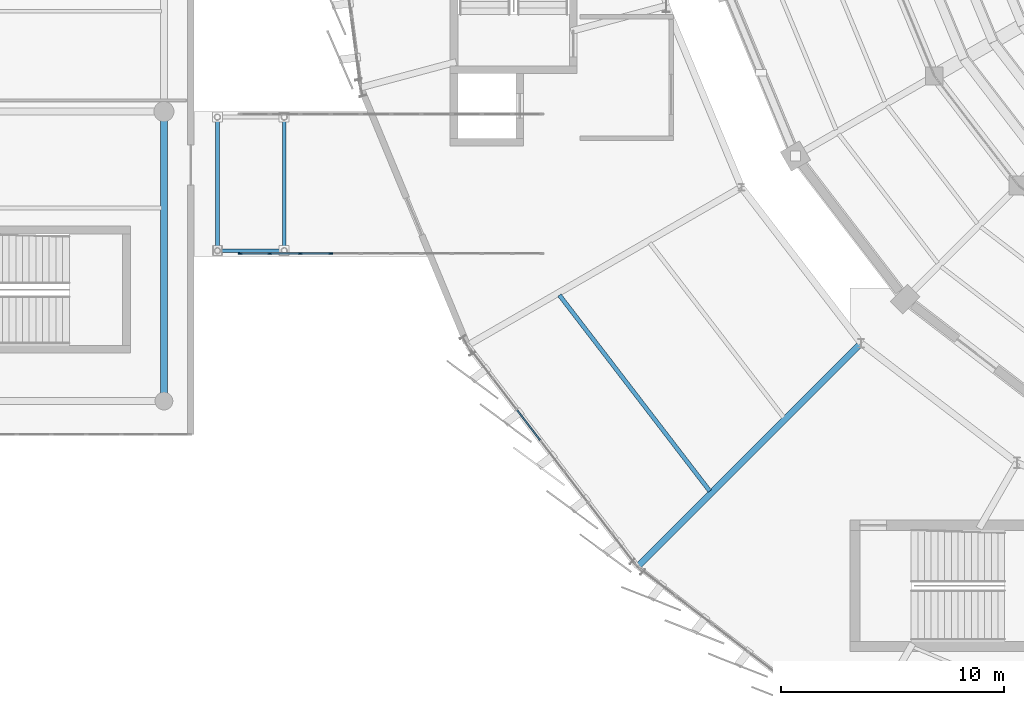
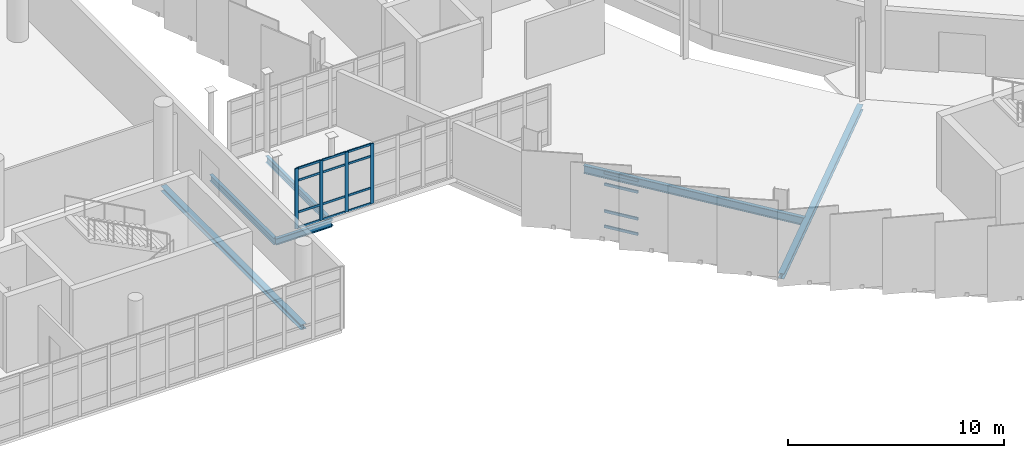
# One storey, part 29 of 134: 20 members, 6 beams, 2 elements without a shape of their own.
"""IFC4 building model written with IfcOpenShell, lengths in metres."""

from ifc_helpers import new_model, si_unit, direction, frame, origin, origin_2d, place, context, subcontext, project, spatial, rectangle, i_section, extrude, material, layer, layer_set, material_profile, profile_set, type_object, element, aggregate, save


model = new_model("IFC4")

# Units and contexts
model_context = context("Model", 3, precision=1e-05, world=origin(), true_north=direction((0.0, 1.0)))
body_context = subcontext(model_context, "Body", "Model", "MODEL_VIEW")
ifc_project = project(units=[si_unit("LENGTHUNIT", "METRE"), si_unit("AREAUNIT", "SQUARE_METRE"), si_unit("VOLUMEUNIT", "CUBIC_METRE"), si_unit("PLANEANGLEUNIT", "RADIAN"), si_unit("MASSUNIT", "GRAM", prefix="KILO")], contexts=[model_context])

# Site, building, storey
site_placement = place(None, origin())
site = spatial("IfcSite", under=ifc_project, at=site_placement, CompositionType="ELEMENT")
building_placement = place(site_placement, origin())
building = spatial("IfcBuilding", under=site, at=building_placement, Name="Sohan Crest Arena", CompositionType="ELEMENT")
storey_placement = place(building_placement, frame((0.0, 0.0, 4.5)))
storey = spatial("IfcBuildingStorey", under=building, at=storey_placement, Name="L01", CompositionType="ELEMENT", Elevation=4.5)

# Curtain wall, members
ifc_material_1 = material(Name="Thermally broken anodised aluminium", Category="aluminium")
ifc_layer_1 = layer(ifc_material_1, 0.18994140625, Name="Thermally broken anodised aluminium")
ifc_layer_set_1 = layer_set([ifc_layer_1], Name="Thermally broken anodised aluminium")
curtain_wall_type_1 = type_object("IfcCurtainWallType", Name="ARC-CW05", PredefinedType="NOTDEFINED", material=ifc_layer_set_1)
curtain_wall_1_placement = place(storey_placement, origin())
curtain_wall_1 = element("IfcCurtainWall", 1, at=curtain_wall_1_placement, inside=storey, type_object=curtain_wall_type_1, Name="Unitised curtain wall CW-225", PredefinedType="NOTDEFINED")
ifc_material_profile_1 = material_profile(ifc_material_1, rectangle(XDim=0.06494140625, YDim=0.179931640625, at=origin_2d()), Name="ALU-MULL 65x180")
ifc_profile_set_1 = profile_set([ifc_material_profile_1], Name="Thermally broken anodised aluminium")
member_type_1 = type_object("IfcMemberType", Name="ARC-CW-ML02", PredefinedType="MULLION", material=ifc_profile_set_1)
member_1_placement = place(storey_placement, frame((46.232421875, 58.1201171875, 0.0), z_axis=(0.0, 0.0, 1.0), x_axis=(0.0, 1.0, 0.0)))
member_1 = element("IfcMember", 2, at=member_1_placement, type_object=member_type_1, Name="CW-225 mullion 1", PredefinedType="MULLION", context=body_context, shape_type="SweptSolid", body=[
    extrude(rectangle(XDim=0.06494140625, YDim=0.179931640625, at=origin_2d()), origin(), (0.0, 0.0, 1.0), 3.39990234375),
])
member_2_placement = place(storey_placement, frame((47.56005859375, 58.1201171875, 0.0), z_axis=(0.0, 0.0, 1.0), x_axis=(0.0, 1.0, 0.0)))
member_2 = element("IfcMember", 3, at=member_2_placement, type_object=member_type_1, Name="CW-225 mullion 2", PredefinedType="MULLION", context=body_context, shape_type="SweptSolid", body=[
    extrude(rectangle(XDim=0.06494140625, YDim=0.179931640625, at=origin_2d()), origin(), (0.0, 0.0, 1.0), 3.39990234375),
])
member_3_placement = place(storey_placement, frame((48.919921875, 58.1201171875, 0.0), z_axis=(0.0, 0.0, 1.0), x_axis=(0.0, 1.0, 0.0)))
member_3 = element("IfcMember", 4, at=member_3_placement, type_object=member_type_1, Name="CW-225 mullion 3", PredefinedType="MULLION", context=body_context, shape_type="SweptSolid", body=[
    extrude(rectangle(XDim=0.06494140625, YDim=0.179931640625, at=origin_2d()), origin(), (0.0, 0.0, 1.0), 3.39990234375),
])
member_4_placement = place(storey_placement, frame((50.280029296875, 58.1201171875, 0.0), z_axis=(0.0, 0.0, 1.0), x_axis=(0.0, 1.0, 0.0)))
member_4 = element("IfcMember", 5, at=member_4_placement, type_object=member_type_1, Name="CW-225 mullion 4", PredefinedType="MULLION", context=body_context, shape_type="SweptSolid", body=[
    extrude(rectangle(XDim=0.06494140625, YDim=0.179931640625, at=origin_2d()), origin(), (0.0, 0.0, 1.0), 3.39990234375),
])
ifc_material_profile_2 = material_profile(ifc_material_1, rectangle(XDim=0.06005859375, YDim=0.1201171875, at=origin_2d()), Name="ALU-TRAN 60x120")
ifc_profile_set_2 = profile_set([ifc_material_profile_2], Name="Thermally broken anodised aluminium")
member_type_2 = type_object("IfcMemberType", Name="ARC-CW-TR01", PredefinedType="USERDEFINED", material=ifc_profile_set_2)
member_5_placement = place(storey_placement, frame((46.264892578125, 58.1201171875, 0.030029296875), z_axis=(1.0, 0.0, 0.0), x_axis=(0.0, 1.0, 0.0)))
member_5 = element("IfcMember", 6, at=member_5_placement, type_object=member_type_2, Name="CW-225 transom 1.1", ObjectType="TRANSOM", PredefinedType="USERDEFINED", context=body_context, shape_type="SweptSolid", body=[
    extrude(rectangle(XDim=0.06005859375, YDim=0.1201171875, at=origin_2d()), origin(), (0.0, 0.0, 1.0), 1.2626953125),
])
member_6_placement = place(storey_placement, frame((46.264892578125, 58.1201171875, 0.89990234375), z_axis=(1.0, 0.0, 0.0), x_axis=(0.0, 1.0, 0.0)))
member_6 = element("IfcMember", 7, at=member_6_placement, type_object=member_type_2, Name="CW-225 transom 1.2", ObjectType="TRANSOM", PredefinedType="USERDEFINED", context=body_context, shape_type="SweptSolid", body=[
    extrude(rectangle(XDim=0.06005859375, YDim=0.1201171875, at=origin_2d()), origin(), (0.0, 0.0, 1.0), 1.2626953125),
])
member_7_placement = place(storey_placement, frame((46.264892578125, 58.1201171875, 2.699951171875), z_axis=(1.0, 0.0, 0.0), x_axis=(0.0, 1.0, 0.0)))
member_7 = element("IfcMember", 8, at=member_7_placement, type_object=member_type_2, Name="CW-225 transom 1.3", ObjectType="TRANSOM", PredefinedType="USERDEFINED", context=body_context, shape_type="SweptSolid", body=[
    extrude(rectangle(XDim=0.06005859375, YDim=0.1201171875, at=origin_2d()), origin(), (0.0, 0.0, 1.0), 1.2626953125),
])
member_8_placement = place(storey_placement, frame((46.264892578125, 58.1201171875, 3.3701171875), z_axis=(1.0, 0.0, 0.0), x_axis=(0.0, 1.0, 0.0)))
member_8 = element("IfcMember", 9, at=member_8_placement, type_object=member_type_2, Name="CW-225 transom 1.4", ObjectType="TRANSOM", PredefinedType="USERDEFINED", context=body_context, shape_type="SweptSolid", body=[
    extrude(rectangle(XDim=0.06005859375, YDim=0.1201171875, at=origin_2d()), origin(), (0.0, 0.0, 1.0), 1.2626953125),
])
member_9_placement = place(storey_placement, frame((47.592529296875, 58.1201171875, 0.030029296875), z_axis=(1.0, 0.0, 0.0), x_axis=(0.0, 1.0, 0.0)))
member_9 = element("IfcMember", 10, at=member_9_placement, type_object=member_type_2, Name="CW-225 transom 2.1", ObjectType="TRANSOM", PredefinedType="USERDEFINED", context=body_context, shape_type="SweptSolid", body=[
    extrude(rectangle(XDim=0.06005859375, YDim=0.1201171875, at=origin_2d()), origin(), (0.0, 0.0, 1.0), 1.294921875),
])
member_10_placement = place(storey_placement, frame((47.592529296875, 58.1201171875, 0.89990234375), z_axis=(1.0, 0.0, 0.0), x_axis=(0.0, 1.0, 0.0)))
member_10 = element("IfcMember", 11, at=member_10_placement, type_object=member_type_2, Name="CW-225 transom 2.2", ObjectType="TRANSOM", PredefinedType="USERDEFINED", context=body_context, shape_type="SweptSolid", body=[
    extrude(rectangle(XDim=0.06005859375, YDim=0.1201171875, at=origin_2d()), origin(), (0.0, 0.0, 1.0), 1.294921875),
])
member_11_placement = place(storey_placement, frame((47.592529296875, 58.1201171875, 2.699951171875), z_axis=(1.0, 0.0, 0.0), x_axis=(0.0, 1.0, 0.0)))
member_11 = element("IfcMember", 12, at=member_11_placement, type_object=member_type_2, Name="CW-225 transom 2.3", ObjectType="TRANSOM", PredefinedType="USERDEFINED", context=body_context, shape_type="SweptSolid", body=[
    extrude(rectangle(XDim=0.06005859375, YDim=0.1201171875, at=origin_2d()), origin(), (0.0, 0.0, 1.0), 1.294921875),
])
member_12_placement = place(storey_placement, frame((47.592529296875, 58.1201171875, 3.3701171875), z_axis=(1.0, 0.0, 0.0), x_axis=(0.0, 1.0, 0.0)))
member_12 = element("IfcMember", 13, at=member_12_placement, type_object=member_type_2, Name="CW-225 transom 2.4", ObjectType="TRANSOM", PredefinedType="USERDEFINED", context=body_context, shape_type="SweptSolid", body=[
    extrude(rectangle(XDim=0.06005859375, YDim=0.1201171875, at=origin_2d()), origin(), (0.0, 0.0, 1.0), 1.294921875),
])
member_13_placement = place(storey_placement, frame((48.952392578125, 58.1201171875, 0.030029296875), z_axis=(1.0, 0.0, 0.0), x_axis=(0.0, 1.0, 0.0)))
member_13 = element("IfcMember", 14, at=member_13_placement, type_object=member_type_2, Name="CW-225 transom 3.1", ObjectType="TRANSOM", PredefinedType="USERDEFINED", context=body_context, shape_type="SweptSolid", body=[
    extrude(rectangle(XDim=0.06005859375, YDim=0.1201171875, at=origin_2d()), origin(), (0.0, 0.0, 1.0), 1.295166015625),
])
member_14_placement = place(storey_placement, frame((48.952392578125, 58.1201171875, 0.89990234375), z_axis=(1.0, 0.0, 0.0), x_axis=(0.0, 1.0, 0.0)))
member_14 = element("IfcMember", 15, at=member_14_placement, type_object=member_type_2, Name="CW-225 transom 3.2", ObjectType="TRANSOM", PredefinedType="USERDEFINED", context=body_context, shape_type="SweptSolid", body=[
    extrude(rectangle(XDim=0.06005859375, YDim=0.1201171875, at=origin_2d()), origin(), (0.0, 0.0, 1.0), 1.295166015625),
])
member_15_placement = place(storey_placement, frame((48.952392578125, 58.1201171875, 2.699951171875), z_axis=(1.0, 0.0, 0.0), x_axis=(0.0, 1.0, 0.0)))
member_15 = element("IfcMember", 16, at=member_15_placement, type_object=member_type_2, Name="CW-225 transom 3.3", ObjectType="TRANSOM", PredefinedType="USERDEFINED", context=body_context, shape_type="SweptSolid", body=[
    extrude(rectangle(XDim=0.06005859375, YDim=0.1201171875, at=origin_2d()), origin(), (0.0, 0.0, 1.0), 1.295166015625),
])
member_16_placement = place(storey_placement, frame((48.952392578125, 58.1201171875, 3.3701171875), z_axis=(1.0, 0.0, 0.0), x_axis=(0.0, 1.0, 0.0)))
member_16 = element("IfcMember", 17, at=member_16_placement, type_object=member_type_2, Name="CW-225 transom 3.4", ObjectType="TRANSOM", PredefinedType="USERDEFINED", context=body_context, shape_type="SweptSolid", body=[
    extrude(rectangle(XDim=0.06005859375, YDim=0.1201171875, at=origin_2d()), origin(), (0.0, 0.0, 1.0), 1.295166015625),
])
aggregate(curtain_wall_1, [member_1, member_2, member_3, member_4, member_5, member_6, member_7, member_8, member_9, member_10, member_11, member_12, member_13, member_14, member_15, member_16])

ifc_layer_2 = layer(ifc_material_1, 0.219970703125, Name="Thermally broken anodised aluminium")
ifc_layer_set_2 = layer_set([ifc_layer_2], Name="Thermally broken anodised aluminium")
curtain_wall_type_2 = type_object("IfcCurtainWallType", Name="ARC-CW03", PredefinedType="NOTDEFINED", material=ifc_layer_set_2)
curtain_wall_2_placement = place(storey_placement, origin())
curtain_wall_2 = element("IfcCurtainWall", 18, at=curtain_wall_2_placement, inside=storey, type_object=curtain_wall_type_2, Name="Unitised curtain wall CW-026", PredefinedType="NOTDEFINED")
ifc_material_profile_3 = material_profile(ifc_material_1, rectangle(XDim=0.070068359375, YDim=0.14990234375, at=origin_2d()), Name="ALU-TRAN 70x150")
ifc_profile_set_3 = profile_set([ifc_material_profile_3], Name="Thermally broken anodised aluminium")
member_type_3 = type_object("IfcMemberType", Name="ARC-CW-TR03", PredefinedType="USERDEFINED", material=ifc_profile_set_3)
member_17_placement = place(storey_placement, frame((58.66259765625, 51.091796875, 0.034912109375), z_axis=(0.608755459623, -0.793357920726, 0.0), x_axis=(0.793357920726, 0.608755459623, 0.0)))
member_17 = element("IfcMember", 19, at=member_17_placement, type_object=member_type_3, Name="CW-026 transom 3.1", ObjectType="TRANSOM", PredefinedType="USERDEFINED", context=body_context, shape_type="SweptSolid", body=[
    extrude(rectangle(XDim=0.070068359375, YDim=0.14990234375, at=origin_2d()), origin(), (0.0, 0.0, 1.0), 1.69287109375),
])
member_18_placement = place(storey_placement, frame((58.66259765625, 51.091796875, 0.89990234375), z_axis=(0.608755459623, -0.793357920726, 0.0), x_axis=(0.793357920726, 0.608755459623, 0.0)))
member_18 = element("IfcMember", 20, at=member_18_placement, type_object=member_type_3, Name="CW-026 transom 3.2", ObjectType="TRANSOM", PredefinedType="USERDEFINED", context=body_context, shape_type="SweptSolid", body=[
    extrude(rectangle(XDim=0.070068359375, YDim=0.14990234375, at=origin_2d()), origin(), (0.0, 0.0, 1.0), 1.69287109375),
])
member_19_placement = place(storey_placement, frame((58.66259765625, 51.091796875, 2.419921875), z_axis=(0.608755459623, -0.793357920726, 0.0), x_axis=(0.793357920726, 0.608755459623, 0.0)))
member_19 = element("IfcMember", 21, at=member_19_placement, type_object=member_type_3, Name="CW-026 transom 3.3", ObjectType="TRANSOM", PredefinedType="USERDEFINED", context=body_context, shape_type="SweptSolid", body=[
    extrude(rectangle(XDim=0.070068359375, YDim=0.14990234375, at=origin_2d()), origin(), (0.0, 0.0, 1.0), 1.69287109375),
])
member_20_placement = place(storey_placement, frame((58.66259765625, 51.091796875, 3.0849609375), z_axis=(0.608755459623, -0.793357920726, 0.0), x_axis=(0.793357920726, 0.608755459623, 0.0)))
member_20 = element("IfcMember", 22, at=member_20_placement, type_object=member_type_3, Name="CW-026 transom 3.4", ObjectType="TRANSOM", PredefinedType="USERDEFINED", context=body_context, shape_type="SweptSolid", body=[
    extrude(rectangle(XDim=0.070068359375, YDim=0.14990234375, at=origin_2d()), origin(), (0.0, 0.0, 1.0), 1.69287109375),
])
aggregate(curtain_wall_2, [member_17, member_18, member_19, member_20])

# Beams
ifc_material_2 = material(Name="Steel S355", Category="steel")
ifc_material_profile_4 = material_profile(ifc_material_2, i_section(OverallWidth=0.169921875, OverallDepth=0.360107421875, WebThickness=0.008056640625, FlangeThickness=0.0126953125, at=origin_2d()), Name="IPE 360")
ifc_profile_set_4 = profile_set([ifc_material_profile_4], Name="Steel S355")
beam_type_1 = type_object("IfcBeamType", Name="STR-BM-B02", PredefinedType="JOIST", material=ifc_profile_set_4)
beam_1_placement = place(storey_placement, frame((45.199951171875, 58.25, -0.455078125), z_axis=(1.0, 0.0, 0.0), x_axis=(0.0, 1.0, 0.0)))
element("IfcBeam", 23, at=beam_1_placement, inside=storey, type_object=beam_type_1, Name="Structural beam BG-L01-2924", PredefinedType="JOIST", context=body_context, shape_type="SweptSolid", body=[
    extrude(i_section(OverallWidth=0.169921875, OverallDepth=0.360107421875, WebThickness=0.008056640625, FlangeThickness=0.0126953125, at=origin_2d()), origin(), (0.0, 0.0, 1.0), 3.0),
])
for number, where, z_axis, x_axis, name in (
    (24, (45.199951171875, 58.25, -0.455078125), (0.0, 1.0, 0.0), (-1.0, 0.0, 0.0), "Structural beam BG-L01-2926"),
    (25, (48.199951171875, 58.25, -0.455078125), (0.0, 1.0, 0.0), (-1.0, 0.0, 0.0), "Structural beam BG-L01-2927"),
):
    element("IfcBeam", number, at=place(storey_placement, frame(where, z_axis=z_axis, x_axis=x_axis)), inside=storey, type_object=beam_type_1, Name=name, PredefinedType="JOIST", context=body_context, shape_type="SweptSolid", body=[
        extrude(i_section(OverallWidth=0.169921875, OverallDepth=0.360107421875, WebThickness=0.008056640625, FlangeThickness=0.0126953125, at=origin_2d()), origin(), (0.0, 0.0, 1.0), 6.0),
    ])
ifc_material_profile_5 = material_profile(ifc_material_2, i_section(OverallWidth=0.18994140625, OverallDepth=0.449951171875, WebThickness=0.009521484375, FlangeThickness=0.0146484375, at=origin_2d()), Name="IPE 450")
ifc_profile_set_5 = profile_set([ifc_material_profile_5], Name="Steel S355")
beam_type_2 = type_object("IfcBeamType", Name="STR-BM-B04", PredefinedType="JOIST", material=ifc_profile_set_5)
beam_2_placement = place(storey_placement, frame((60.555908203125, 56.256103515625, -0.5), z_axis=(0.608788813613, -0.793332326594, 0.0), x_axis=(0.793332326594, 0.608788813613, 0.0)))
element("IfcBeam", 26, at=beam_2_placement, inside=storey, type_object=beam_type_2, Name="Structural beam J-L01-1126", PredefinedType="JOIST", context=body_context, shape_type="SweptSolid", body=[
    extrude(i_section(OverallWidth=0.18994140625, OverallDepth=0.449951171875, WebThickness=0.009521484375, FlangeThickness=0.0146484375, at=origin_2d()), origin(), (0.0, 0.0, 1.0), 11.087646484375),
])
ifc_material_profile_6 = material_profile(ifc_material_2, i_section(OverallWidth=0.300048828125, OverallDepth=0.2900390625, WebThickness=0.008544921875, FlangeThickness=0.013916015625, at=origin_2d()), Name="HEA 300")
ifc_profile_set_6 = profile_set([ifc_material_profile_6], Name="Steel S355")
beam_type_3 = type_object("IfcBeamType", Name="STR-BM-B08", PredefinedType="BEAM", material=ifc_profile_set_6)
beam_3_placement = place(storey_placement, frame((42.800048828125, 51.5, -0.35498046875), z_axis=(0.0, 1.0, 0.0), x_axis=(-1.0, 0.0, 0.0)))
element("IfcBeam", 27, at=beam_3_placement, inside=storey, type_object=beam_type_3, Name="Structural beam G-L01-1993", PredefinedType="BEAM", context=body_context, shape_type="SweptSolid", body=[
    extrude(i_section(OverallWidth=0.300048828125, OverallDepth=0.2900390625, WebThickness=0.008544921875, FlangeThickness=0.013916015625, at=origin_2d()), origin(), (0.0, 0.0, 1.0), 13.0),
])
ifc_material_profile_7 = material_profile(ifc_material_2, i_section(OverallWidth=0.300048828125, OverallDepth=0.300048828125, WebThickness=0.010986328125, FlangeThickness=0.01904296875, at=origin_2d()), Name="HEB 300")
ifc_profile_set_7 = profile_set([ifc_material_profile_7], Name="Steel S355")
beam_type_4 = type_object("IfcBeamType", Name="STR-BM-B12", PredefinedType="BEAM", material=ifc_profile_set_7)
beam_4_placement = place(storey_placement, frame((74.10009765625, 54.10009765625, -0.425048828125), z_axis=(-0.707106781187, -0.707106781187, 0.0), x_axis=(0.707106781187, -0.707106781187, 0.0)))
element("IfcBeam", 28, at=beam_4_placement, inside=storey, type_object=beam_type_4, Name="Structural beam G-L01-1127", PredefinedType="BEAM", context=body_context, shape_type="SweptSolid", body=[
    extrude(i_section(OverallWidth=0.300048828125, OverallDepth=0.300048828125, WebThickness=0.010986328125, FlangeThickness=0.01904296875, at=origin_2d()), origin(), (0.0, 0.0, 1.0), 14.2001953125),
])

save(model, "model.ifc")
